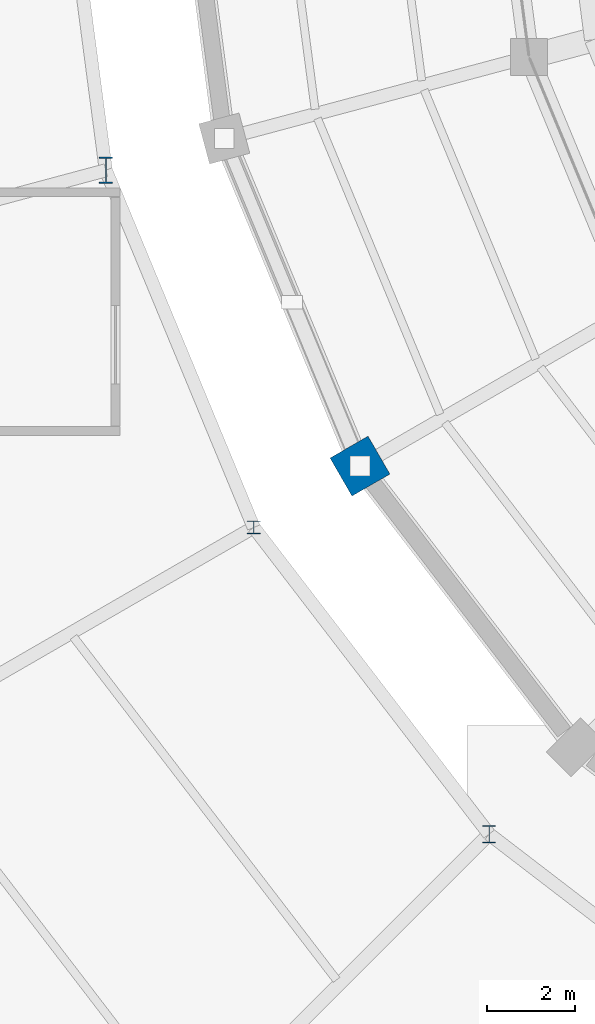
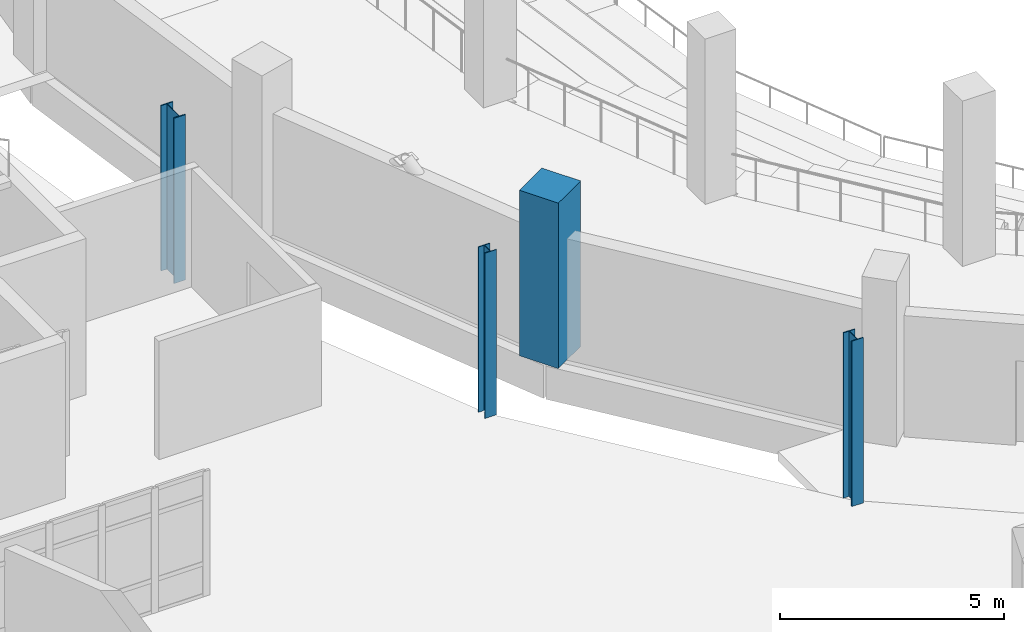
# One storey, part 3 of 134: 4 columns.
"""IFC4 building model written with IfcOpenShell, lengths in metres."""

from ifc_helpers import new_model, si_unit, direction, frame, origin, origin_2d, place, context, subcontext, project, spatial, rectangle, i_section, extrude, material, material_profile, profile_set, type_object, element, save


model = new_model("IFC4")

# Units and contexts
model_context = context("Model", 3, precision=1e-05, world=origin(), true_north=direction((0.0, 1.0)))
body_context = subcontext(model_context, "Body", "Model", "MODEL_VIEW")
ifc_project = project(units=[si_unit("LENGTHUNIT", "METRE"), si_unit("AREAUNIT", "SQUARE_METRE"), si_unit("VOLUMEUNIT", "CUBIC_METRE"), si_unit("PLANEANGLEUNIT", "RADIAN"), si_unit("MASSUNIT", "GRAM", prefix="KILO")], contexts=[model_context])

# Site, building, storey
site_placement = place(None, origin())
site = spatial("IfcSite", under=ifc_project, at=site_placement, CompositionType="ELEMENT")
building_placement = place(site_placement, origin())
building = spatial("IfcBuilding", under=site, at=building_placement, Name="Sohan Crest Arena", CompositionType="ELEMENT")
storey_placement = place(building_placement, frame((0.0, 0.0, 4.5)))
storey = spatial("IfcBuildingStorey", under=building, at=storey_placement, Name="L01", CompositionType="ELEMENT", Elevation=4.5)

# Columns
ifc_material_1 = material(Name="Concrete C40/50", Category="concrete")
ifc_material_profile_1 = material_profile(ifc_material_1, rectangle(XDim=1.0, YDim=1.0, at=origin_2d()), Name="RC 1000x1000")
ifc_profile_set_1 = profile_set([ifc_material_profile_1], Name="Concrete C40/50")
column_type_1 = type_object("IfcColumnType", Name="STR-COL-C09", PredefinedType="COLUMN", material=ifc_profile_set_1)
column_1_placement = place(storey_placement, frame((71.153076171875, 62.5, 0.0), z_axis=(0.0, 0.0, 1.0), x_axis=(0.866025403784, 0.5, 0.0)))
element("IfcColumn", 1, at=column_1_placement, inside=storey, type_object=column_type_1, Name="Structural column COL-V1R-09-L01", PredefinedType="COLUMN", context=body_context, shape_type="SweptSolid", body=[
    extrude(rectangle(XDim=1.0, YDim=1.0, at=origin_2d()), origin(), (0.0, 0.0, 1.0), 4.5),
])
ifc_material_2 = material(Name="Steel S355", Category="steel")
ifc_material_profile_2 = material_profile(ifc_material_2, i_section(OverallWidth=0.300048828125, OverallDepth=0.300048828125, WebThickness=0.010986328125, FlangeThickness=0.01904296875, at=origin_2d()), Name="HEB 300")
ifc_profile_set_2 = profile_set([ifc_material_profile_2], Name="Steel S355")
column_type_2 = type_object("IfcColumnType", Name="STR-COL-C17", PredefinedType="COLUMN", material=ifc_profile_set_2)
column_2_placement = place(storey_placement, frame((68.72802734375, 61.10009765625, 0.0), z_axis=(0.0, 0.0, 1.0), x_axis=(1.0, 0.0, 0.0)))
element("IfcColumn", 2, at=column_2_placement, inside=storey, type_object=column_type_2, Name="Structural column COL-V2I-09-L01", PredefinedType="COLUMN", context=body_context, shape_type="SweptSolid", body=[
    extrude(i_section(OverallWidth=0.300048828125, OverallDepth=0.300048828125, WebThickness=0.010986328125, FlangeThickness=0.01904296875, at=origin_2d()), origin(), (0.0, 0.0, 1.0), 4.5),
])
ifc_material_profile_3 = material_profile(ifc_material_2, i_section(OverallWidth=0.300048828125, OverallDepth=0.39990234375, WebThickness=0.013427734375, FlangeThickness=0.02392578125, at=origin_2d()), Name="HEB 400")
ifc_profile_set_3 = profile_set([ifc_material_profile_3], Name="Steel S355")
column_type_3 = type_object("IfcColumnType", Name="STR-COL-C18", PredefinedType="COLUMN", material=ifc_profile_set_3)
column_3_placement = place(storey_placement, frame((74.10009765625, 54.10009765625, 0.0), z_axis=(0.0, 0.0, 1.0), x_axis=(1.0, 0.0, 0.0)))
element("IfcColumn", 3, at=column_3_placement, inside=storey, type_object=column_type_3, Name="Structural column COL-V2I-10-L01", PredefinedType="COLUMN", context=body_context, shape_type="SweptSolid", body=[
    extrude(i_section(OverallWidth=0.300048828125, OverallDepth=0.39990234375, WebThickness=0.013427734375, FlangeThickness=0.02392578125, at=origin_2d()), origin(), (0.0, 0.0, 1.0), 4.5),
])
ifc_material_profile_4 = material_profile(ifc_material_2, i_section(OverallWidth=0.300048828125, OverallDepth=0.60009765625, WebThickness=0.015380859375, FlangeThickness=0.030029296875, at=origin_2d()), Name="HEB 600")
ifc_profile_set_4 = profile_set([ifc_material_profile_4], Name="Steel S355")
column_type_4 = type_object("IfcColumnType", Name="STR-COL-C20", PredefinedType="COLUMN", material=ifc_profile_set_4)
column_4_placement = place(storey_placement, frame((65.35205078125, 69.251953125, 0.0), z_axis=(0.0, 0.0, 1.0), x_axis=(1.0, 0.0, 0.0)))
element("IfcColumn", 4, at=column_4_placement, inside=storey, type_object=column_type_4, Name="Structural column COL-V2I-08-L01", PredefinedType="COLUMN", context=body_context, shape_type="SweptSolid", body=[
    extrude(i_section(OverallWidth=0.300048828125, OverallDepth=0.60009765625, WebThickness=0.015380859375, FlangeThickness=0.030029296875, at=origin_2d()), origin(), (0.0, 0.0, 1.0), 4.5),
])

save(model, "model.ifc")
